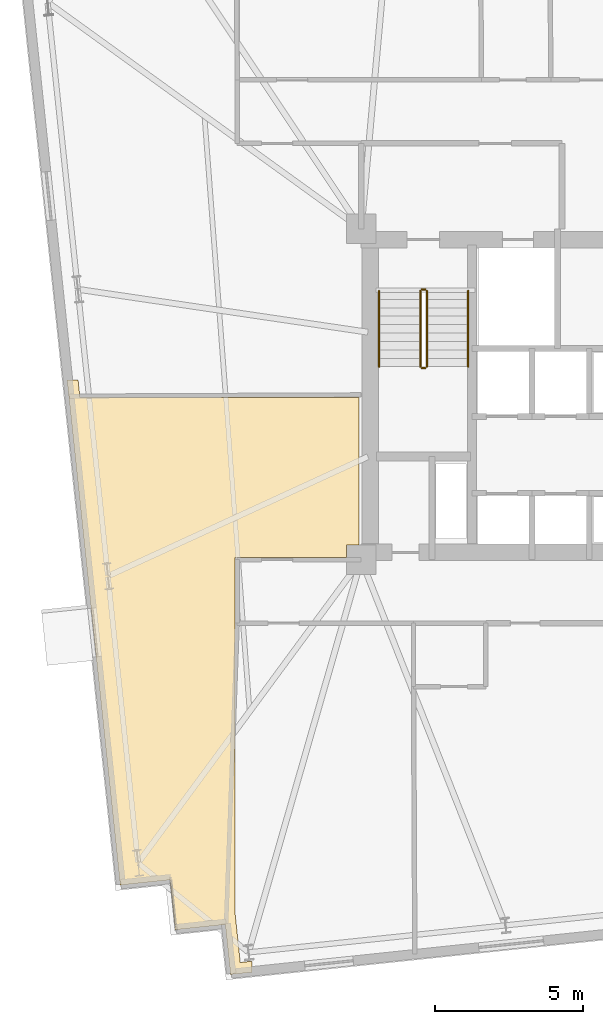
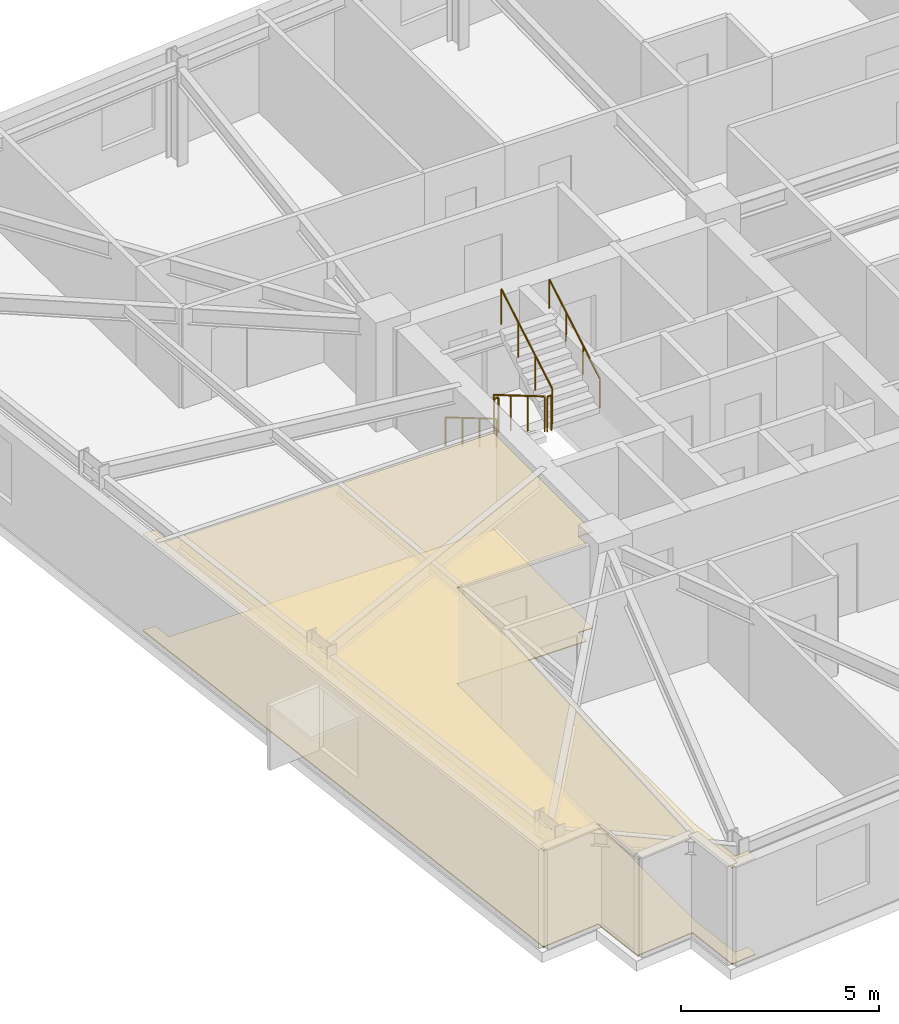
# One storey, part 17 of 19: 6 railings, 2 coverings.
"""IFC4 building model written with IfcOpenShell, lengths in metres."""

import ifcopenshell
import ifcopenshell.guid

model = None  # the IFC model being written
_history = None  # IfcOwnerHistory: only IFC2X3 demands one
_inside = {}  # id of a spatial element -> (the spatial element, [elements in it])
_under = {}  # id of a project, library or spatial element -> (it, [spatial elements below it])
_declared = {}  # id of a project -> (the project, [libraries it declares])
_typed = {}  # id of a type object -> (the type object, [elements of that type])
_made_of = {}  # id of a material, layer set ... -> (it, [elements and type objects made of it])


def new_model(schema):
    """Start an empty IFC model of exactly this schema.

    Asked for "IFC4X3", IfcOpenShell would pick the latest addendum, in which some entities
    have other attributes; the version numbers below select the first issue.
    IFC2X3 requires an IfcOwnerHistory on every rooted entity: one is made here for all.
    """
    global model, _history
    if schema == "IFC4X3":
        model = ifcopenshell.file(schema_version=(4, 3, 0, 0))
    else:
        model = ifcopenshell.file(schema=schema)
    _inside.clear()
    _under.clear()
    _declared.clear()
    _typed.clear()
    _made_of.clear()
    _history = None
    if model.schema == "IFC2X3":
        org = make("IfcOrganization", Name="unknown")
        user = make(
            "IfcPersonAndOrganization",
            ThePerson=make("IfcPerson", FamilyName="unknown"),
            TheOrganization=org,
        )
        app = make(
            "IfcApplication",
            ApplicationDeveloper=org,
            Version="unknown",
            ApplicationFullName="unknown",
            ApplicationIdentifier="unknown",
        )
        _history = make(
            "IfcOwnerHistory",
            OwningUser=user,
            OwningApplication=app,
            ChangeAction="ADDED",
            CreationDate=0,
        )
    return model


def make(cls, **values):
    """One entity of the class cls with the attributes given. An attribute that is None is left unset."""
    return model.create_entity(
        cls, **{name: value for name, value in values.items() if value is not None}
    )


def rooted(cls, **values):
    """An entity with a GlobalId (a new one), such as an element, a storey or a relation."""
    return make(cls, GlobalId=ifcopenshell.guid.new(), OwnerHistory=_history, **values)


def si_unit(unit_type, name, prefix=None):
    """IfcSIUnit, for example si_unit("LENGTHUNIT", "METRE", prefix="MILLI")."""
    return make("IfcSIUnit", UnitType=unit_type, Prefix=prefix, Name=name)


def assignment(units):
    """IfcUnitAssignment: the units of a project."""
    return None if units is None else make("IfcUnitAssignment", Units=units)


def point(xyz):
    """IfcCartesianPoint."""
    return None if xyz is None else make("IfcCartesianPoint", Coordinates=xyz)


def direction(xyz):
    """IfcDirection."""
    return None if xyz is None else make("IfcDirection", DirectionRatios=xyz)


def frame(location, z_axis=None, x_axis=None):
    """IfcAxis2Placement3D, a coordinate frame: its origin and axes. An axis left out is left unset."""
    return make(
        "IfcAxis2Placement3D",
        Location=point(location),
        Axis=direction(z_axis),
        RefDirection=direction(x_axis),
    )


def frame_2d(location, x_axis=None):
    """IfcAxis2Placement2D, a coordinate frame in the plane: its origin and x axis."""
    return make(
        "IfcAxis2Placement2D", Location=point(location), RefDirection=direction(x_axis)
    )


def origin():
    """The frame at (0, 0, 0) with its axes left unset."""
    return frame((0.0, 0.0, 0.0))


def origin_2d():
    """The frame at (0, 0) in the plane with its x axis left unset."""
    return frame_2d((0.0, 0.0))


def place(relative_to, where):
    """IfcLocalPlacement: puts the frame where relative to a parent placement (None: the world)."""
    return make(
        "IfcLocalPlacement", PlacementRelTo=relative_to, RelativePlacement=where
    )


def context(
    kind, dimensions, precision=None, world=None, true_north=None, identifier=None
):
    """IfcGeometricRepresentationContext, for example the 3D "Model" context."""
    return make(
        "IfcGeometricRepresentationContext",
        ContextIdentifier=identifier,
        ContextType=kind,
        CoordinateSpaceDimension=dimensions,
        Precision=precision,
        WorldCoordinateSystem=world,
        TrueNorth=true_north,
    )


def subcontext(parent, identifier, kind, view, scale=None):
    """IfcGeometricRepresentationSubContext, for example "Body" below "Model"."""
    return make(
        "IfcGeometricRepresentationSubContext",
        ContextIdentifier=identifier,
        ContextType=kind,
        ParentContext=parent,
        TargetScale=scale,
        TargetView=view,
    )


def project(units=None, contexts=None):
    """IfcProject with its units and contexts."""
    return rooted(
        "IfcProject",
        Name="project",
        RepresentationContexts=contexts,
        UnitsInContext=assignment(units),
    )


def spatial(cls, under=None, at=None, **own):
    """A site, building, storey or space (cls), placed at a placement, below another one or the project."""
    s = rooted(cls, ObjectPlacement=at, **own)
    if under is not None:
        _under.setdefault(under.id(), (under, []))[1].append(s)
    return s


def polyline(points):
    """IfcPolyline through the points."""
    return make("IfcPolyline", Points=[point(p) for p in points])


def profile(cls, at=None, kind="AREA", **sizes):
    """A parametric profile (cls). Its sizes go by their IFC names, for example OverallWidth=200.0."""
    return make(cls, ProfileType=kind, Position=at, **sizes)


def circle(**sizes):
    """IfcCircleProfileDef."""
    return profile("IfcCircleProfileDef", **sizes)


def outline(outer, holes=None, kind="AREA"):
    """IfcArbitraryClosedProfileDef: a profile drawn as a closed curve; with holes, ...WithVoids."""
    if holes is None:
        return make("IfcArbitraryClosedProfileDef", ProfileType=kind, OuterCurve=outer)
    return make(
        "IfcArbitraryProfileDefWithVoids",
        ProfileType=kind,
        OuterCurve=outer,
        InnerCurves=holes,
    )


def extrude(swept, where, along, depth):
    """IfcExtrudedAreaSolid: the profile swept, set in the frame where, extruded along a direction by depth."""
    return make(
        "IfcExtrudedAreaSolid",
        SweptArea=swept,
        Position=where,
        ExtrudedDirection=direction(along),
        Depth=depth,
    )


def shape(context_of_items, identifier, shape_type, items):
    """IfcShapeRepresentation: the items that make up one representation, for example the "Body"."""
    return make(
        "IfcShapeRepresentation",
        ContextOfItems=context_of_items,
        RepresentationIdentifier=identifier,
        RepresentationType=shape_type,
        Items=items,
    )


def material(Name=None, Category=None):
    """IfcMaterial."""
    return make("IfcMaterial", Name=Name, Category=Category)


def layer(
    of_material, thickness, ventilated=None, Name=None, Category=None, Priority=None
):
    """IfcMaterialLayer: one layer of a wall or slab, of a material (None: an air gap)."""
    return make(
        "IfcMaterialLayer",
        Material=of_material,
        LayerThickness=thickness,
        IsVentilated=ventilated,
        Name=Name,
        Category=Category,
        Priority=Priority,
    )


def layer_set(layers, Name=None):
    """IfcMaterialLayerSet."""
    return make("IfcMaterialLayerSet", MaterialLayers=layers, LayerSetName=Name)


def made_of(thing, what):
    """Note that an element or type object is made of a material, layer set ...; save() writes the relation."""
    if what is not None:
        _made_of.setdefault(what.id(), (what, []))[1].append(thing)
    return thing


def type_object(cls, material=None, **own):
    """A type object (cls), such as IfcWallType, which elements share."""
    return made_of(rooted(cls, **own), material)


def element(
    cls,
    number,
    at=None,
    inside=None,
    cuts=None,
    type_object=None,
    material=None,
    context=None,
    identifier="Body",
    shape_type=None,
    held_by="IfcProductDefinitionShape",
    body=None,
    shapes=None,
    **own,
):
    """One element of the class cls, such as IfcWall. Its Tag is "e" and its number.

    at: its placement. inside: the storey or other place that contains it. cuts: it is an
    opening in that element (IfcRelVoidsElement). A single representation is given by context,
    identifier, shape_type and body (its items); several are given by shapes. held_by: the class
    of the entity that holds the representations. save() writes the other relations.
    """
    e = rooted(cls, Tag="e%d" % number, ObjectPlacement=at, **own)
    if body is not None:
        shapes = [shape(context, identifier, shape_type, body)]
    if shapes is not None:
        e.Representation = make(held_by, Representations=shapes)
    if inside is not None:
        _inside.setdefault(inside.id(), (inside, []))[1].append(e)
    if cuts is not None:
        rooted(
            "IfcRelVoidsElement", RelatingBuildingElement=cuts, RelatedOpeningElement=e
        )
    if type_object is not None:
        _typed.setdefault(type_object.id(), (type_object, []))[1].append(e)
    return made_of(e, material)


def aggregate(whole, parts):
    """IfcRelAggregates: a whole, such as a stair, and the parts it consists of."""
    return rooted("IfcRelAggregates", RelatingObject=whole, RelatedObjects=parts)


def save(model, path):
    """Write the relations noted so far, then the file.

    IfcRelAggregates (storeys below a building ...), IfcRelContainedInSpatialStructure (elements
    in a storey), IfcRelDefinesByType, IfcRelAssociatesMaterial and IfcRelDeclares: one each for
    every whole, place, type object, material and project.
    """
    for whole, parts in _under.values():
        aggregate(whole, parts)
    for where, things in _inside.values():
        rooted(
            "IfcRelContainedInSpatialStructure",
            RelatedElements=things,
            RelatingStructure=where,
        )
    for kind, things in _typed.values():
        rooted("IfcRelDefinesByType", RelatedObjects=things, RelatingType=kind)
    for what, things in _made_of.values():
        rooted("IfcRelAssociatesMaterial", RelatedObjects=things, RelatingMaterial=what)
    for by, libraries in _declared.values():
        rooted("IfcRelDeclares", RelatingContext=by, RelatedDefinitions=libraries)
    model.write(path)


model = new_model("IFC4")

# Units and contexts
model_context = context("Model", 3, precision=1e-05, world=origin(), true_north=direction((0.0, 1.0)))
body_context = subcontext(model_context, "Body", "Model", "MODEL_VIEW")
ifc_project = project(units=[si_unit("LENGTHUNIT", "METRE"), si_unit("AREAUNIT", "SQUARE_METRE"), si_unit("VOLUMEUNIT", "CUBIC_METRE"), si_unit("PLANEANGLEUNIT", "RADIAN"), si_unit("MASSUNIT", "GRAM", prefix="KILO")], contexts=[model_context])

# Site, building, storey
site_placement = place(None, origin())
site = spatial("IfcSite", under=ifc_project, at=site_placement, CompositionType="ELEMENT")
building_placement = place(site_placement, origin())
building = spatial("IfcBuilding", under=site, at=building_placement, Name="Qobustan Lattice House", CompositionType="ELEMENT")
storey_placement = place(building_placement, frame((0.0, 0.0, 115.85009765625)))
storey = spatial("IfcBuildingStorey", under=building, at=storey_placement, Name="L32", CompositionType="ELEMENT", Elevation=115.85009765625)

# Coverings
ifc_material_1 = material(Name="Perforated gypsum acoustic ceiling", Category="gypsum")
ifc_layer_1 = layer(ifc_material_1, 0.030029296875)
ifc_layer_set_1 = layer_set([ifc_layer_1], Name="Perforated gypsum acoustic ceiling")
covering_type_1 = type_object("IfcCoveringType", Name="COV-ACOUSTIC-CEIL", PredefinedType="CEILING", material=ifc_layer_set_1)
covering_1_placement = place(storey_placement, frame((0.0, 0.0, 2.954833984375)))
element("IfcCovering", 1, at=covering_1_placement, inside=storey, type_object=covering_type_1, Name="L32 Fellows reading room acoustic ceiling", PredefinedType="CEILING", context=body_context, shape_type="SweptSolid", body=[
    extrude(outline(polyline([(-23.40234375, -17.95166015625), (-23.224609375, -19.642333984375), (-22.5, -19.566162109375), (-22.5, -19.194091796875), (-22.8955078125, -19.235595703125), (-23.080078125, -17.4794921875), (-23.080078125, -5.52001953125), (-19.302001953125, -5.52001953125), (-19.302001953125, -5.097900390625), (-18.8798828125, -5.097900390625), (-18.8798828125, -0.099853515625), (-28.3251953125, -0.099853515625), (-28.38623046875, 0.480224609375), (-28.75830078125, 0.480224609375), (-26.96142578125, -16.616455078125), (-25.270751953125, -16.438720703125), (-25.093017578125, -18.12939453125), (-23.40234375, -17.95166015625)])), origin(), (0.0, 0.0, 1.0), 0.030029296875),
])
ifc_material_2 = material(Name="Honed Absheron stone terrazzo flooring", Category="masonry")
ifc_layer_2 = layer(ifc_material_2, 0.02490234375)
ifc_layer_set_2 = layer_set([ifc_layer_2], Name="Honed Absheron stone terrazzo flooring")
covering_type_2 = type_object("IfcCoveringType", Name="COV-TERRAZZO-FLR", PredefinedType="FLOORING", material=ifc_layer_set_2)
covering_2_placement = place(storey_placement, origin())
element("IfcCovering", 2, at=covering_2_placement, inside=storey, type_object=covering_type_2, Name="L32 Fellows reading room stone terrazzo flooring", PredefinedType="FLOORING", context=body_context, shape_type="SweptSolid", body=[
    extrude(outline(polyline([(-23.40234375, -17.95166015625), (-23.224609375, -19.642333984375), (-22.5, -19.566162109375), (-22.5, -19.194091796875), (-22.8955078125, -19.235595703125), (-23.080078125, -17.4794921875), (-23.080078125, -5.52001953125), (-19.302001953125, -5.52001953125), (-19.302001953125, -5.097900390625), (-18.8798828125, -5.097900390625), (-18.8798828125, -0.099853515625), (-28.3251953125, -0.099853515625), (-28.38623046875, 0.480224609375), (-28.75830078125, 0.480224609375), (-26.96142578125, -16.616455078125), (-25.270751953125, -16.438720703125), (-25.093017578125, -18.12939453125), (-23.40234375, -17.95166015625)])), origin(), (0.0, 0.0, 1.0), 0.02490234375),
])

# Railings
ifc_material_3 = material(Name="Brushed stainless steel handrail", Category="steel")
railing_type_1 = type_object("IfcRailingType", Name="RAL-HR-920", PredefinedType="HANDRAIL", material=ifc_material_3)
railing_1_placement = place(storey_placement, frame((-18.199951171875, 3.5, 0.16748046875)))
element("IfcRailing", 3, at=railing_1_placement, inside=storey, type_object=railing_type_1, Name="L32 ST-W1 stair handrail 1", PredefinedType="HANDRAIL", context=body_context, shape_type="SweptSolid", body=[
    extrude(circle(Radius=0.02392578125, at=origin_2d()), frame((0.0, 0.0, 0.8759765625), z_axis=(0.0, -0.862149314443, 0.506654280161), x_axis=(1.0, 0.0, 0.0)), (0.0, 0.0, 1.0), 2.97509765625),
    extrude(circle(Radius=0.02099609375, at=origin_2d()), origin(), (0.0, 0.0, 1.0), 0.851806640625),
    extrude(circle(Radius=0.02099609375, at=origin_2d()), frame((0.0, -0.85498046875, 0.50244140625)), (0.0, 0.0, 1.0), 0.851806640625),
    extrude(circle(Radius=0.02099609375, at=origin_2d()), frame((0.0, -1.7099609375, 1.0048828125)), (0.0, 0.0, 1.0), 0.851806640625),
    extrude(circle(Radius=0.02099609375, at=origin_2d()), frame((0.0, -2.56494140625, 1.50732421875)), (0.0, 0.0, 1.0), 0.851806640625),
])
railing_2_placement = place(storey_placement, frame((-15.179931640625, 0.93505859375, 1.84228515625)))
element("IfcRailing", 4, at=railing_2_placement, inside=storey, type_object=railing_type_1, Name="L32 ST-W1 stair handrail 2", PredefinedType="HANDRAIL", context=body_context, shape_type="SweptSolid", body=[
    extrude(circle(Radius=0.02392578125, at=origin_2d()), frame((0.0, 0.0, 0.8759765625), z_axis=(0.0, 0.862113467892, 0.50671527358), x_axis=(-1.0, 0.0, 0.0)), (0.0, 0.0, 1.0), 2.97509765625),
    extrude(circle(Radius=0.02099609375, at=origin_2d()), origin(), (0.0, 0.0, 1.0), 0.851806640625),
    extrude(circle(Radius=0.02099609375, at=origin_2d()), frame((0.0, 0.85498046875, 0.50244140625)), (0.0, 0.0, 1.0), 0.851806640625),
    extrude(circle(Radius=0.02099609375, at=origin_2d()), frame((0.0, 1.7099609375, 1.005126953125)), (0.0, 0.0, 1.0), 0.851806640625),
    extrude(circle(Radius=0.02099609375, at=origin_2d()), frame((0.0, 2.56494140625, 1.507568359375)), (0.0, 0.0, 1.0), 0.851806640625),
])
ifc_material_4 = material(Name="Painted galvanized steel guardrail", Category="steel")
railing_type_2 = type_object("IfcRailingType", Name="RAL-STG-1150", PredefinedType="GUARDRAIL", material=ifc_material_4)
railing_3_placement = place(storey_placement, frame((-16.800048828125, 3.5, 0.16748046875)))
element("IfcRailing", 5, at=railing_3_placement, inside=storey, type_object=railing_type_2, Name="L32 ST-W1 stair guard 1", PredefinedType="GUARDRAIL", context=body_context, shape_type="SweptSolid", body=[
    extrude(circle(Radius=0.02392578125, at=origin_2d()), frame((0.0, 0.0, 1.076171875), z_axis=(0.0, -0.862149314443, 0.506654280161), x_axis=(1.0, 0.0, 0.0)), (0.0, 0.0, 1.0), 2.97509765625),
    extrude(circle(Radius=0.02099609375, at=origin_2d()), origin(), (0.0, 0.0, 1.0), 1.052001953125),
    extrude(circle(Radius=0.02099609375, at=origin_2d()), frame((0.0, -0.85498046875, 0.50244140625)), (0.0, 0.0, 1.0), 1.052001953125),
    extrude(circle(Radius=0.02099609375, at=origin_2d()), frame((0.0, -1.7099609375, 1.0048828125)), (0.0, 0.0, 1.0), 1.052001953125),
    extrude(circle(Radius=0.02099609375, at=origin_2d()), frame((0.0, -2.56494140625, 1.50732421875)), (0.0, 0.0, 1.0), 1.052001953125),
])
railing_4_placement = place(storey_placement, frame((-16.75, 0.885009765625, 1.6748046875)))
element("IfcRailing", 6, at=railing_4_placement, inside=storey, type_object=railing_type_2, Name="L32 ST-W1 stair guard 2", PredefinedType="GUARDRAIL", context=body_context, shape_type="SweptSolid", body=[
    extrude(circle(Radius=0.02392578125, at=origin_2d()), frame((0.0, 0.0, 1.076171875), z_axis=(1.0, 0.0, 0.0), x_axis=(0.0, 1.0, 0.0)), (0.0, 0.0, 1.0), 0.1201171875),
    extrude(circle(Radius=0.02099609375, at=origin_2d()), origin(), (0.0, 0.0, 1.0), 1.052001953125),
    extrude(circle(Radius=0.02099609375, at=origin_2d()), frame((0.1201171875, 0.0, 0.0)), (0.0, 0.0, 1.0), 1.052001953125),
])
railing_5_placement = place(storey_placement, frame((-16.580078125, 0.93505859375, 1.84228515625)))
element("IfcRailing", 7, at=railing_5_placement, inside=storey, type_object=railing_type_2, Name="L32 ST-W1 stair guard 3", PredefinedType="GUARDRAIL", context=body_context, shape_type="SweptSolid", body=[
    extrude(circle(Radius=0.02392578125, at=origin_2d()), frame((0.0, 0.0, 1.076171875), z_axis=(0.0, 0.862113467892, 0.50671527358), x_axis=(-1.0, 0.0, 0.0)), (0.0, 0.0, 1.0), 2.97509765625),
    extrude(circle(Radius=0.02099609375, at=origin_2d()), origin(), (0.0, 0.0, 1.0), 1.052001953125),
    extrude(circle(Radius=0.02099609375, at=origin_2d()), frame((0.0, 0.85498046875, 0.50244140625)), (0.0, 0.0, 1.0), 1.052001953125),
    extrude(circle(Radius=0.02099609375, at=origin_2d()), frame((0.0, 1.7099609375, 1.005126953125)), (0.0, 0.0, 1.0), 1.052001953125),
    extrude(circle(Radius=0.02099609375, at=origin_2d()), frame((0.0, 2.56494140625, 1.507568359375)), (0.0, 0.0, 1.0), 1.052001953125),
])
railing_6_placement = place(storey_placement, frame((-16.75, 3.550048828125, 0.0)))
element("IfcRailing", 8, at=railing_6_placement, inside=storey, type_object=railing_type_2, Name="L32 ST-W1 stair guard 4", PredefinedType="GUARDRAIL", context=body_context, shape_type="SweptSolid", body=[
    extrude(circle(Radius=0.02392578125, at=origin_2d()), frame((0.0, 0.0, 1.076171875), z_axis=(1.0, 0.0, 0.0), x_axis=(0.0, 1.0, 0.0)), (0.0, 0.0, 1.0), 0.1201171875),
    extrude(circle(Radius=0.02099609375, at=origin_2d()), origin(), (0.0, 0.0, 1.0), 1.052001953125),
    extrude(circle(Radius=0.02099609375, at=origin_2d()), frame((0.1201171875, 0.0, 0.0)), (0.0, 0.0, 1.0), 1.052001953125),
])

save(model, "model.ifc")
